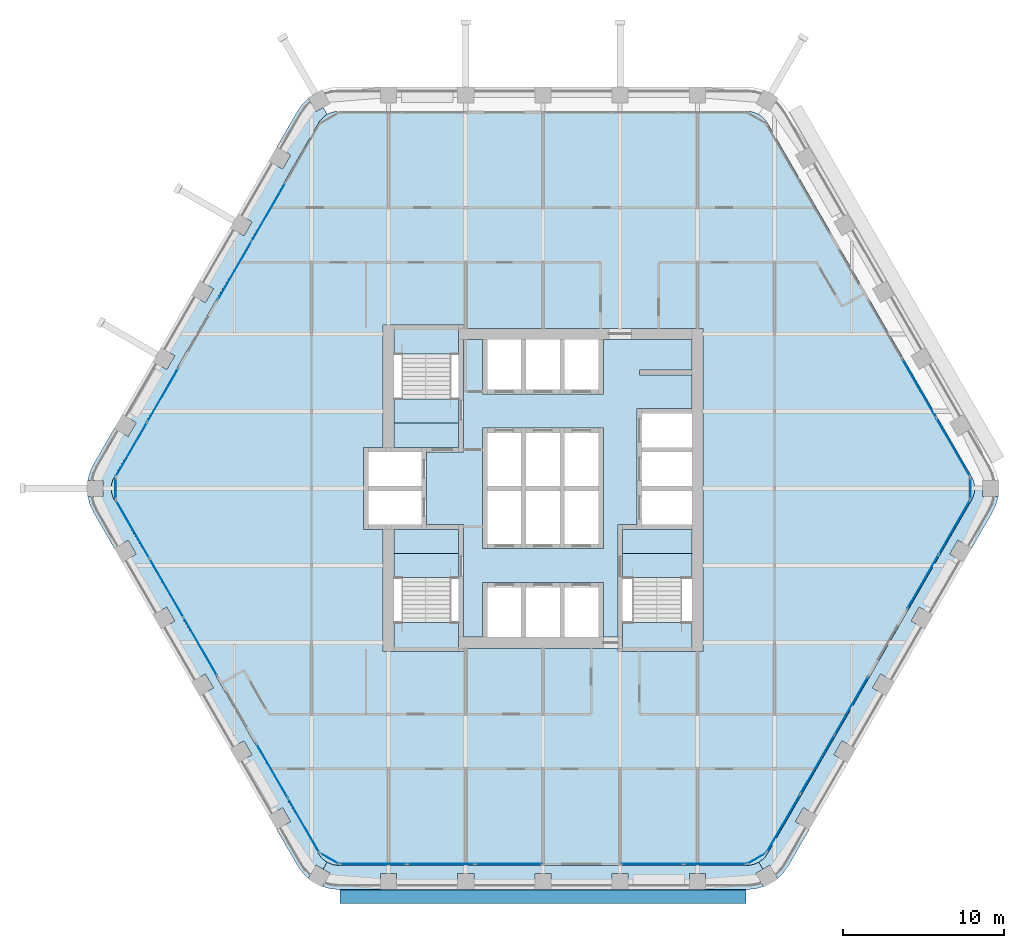
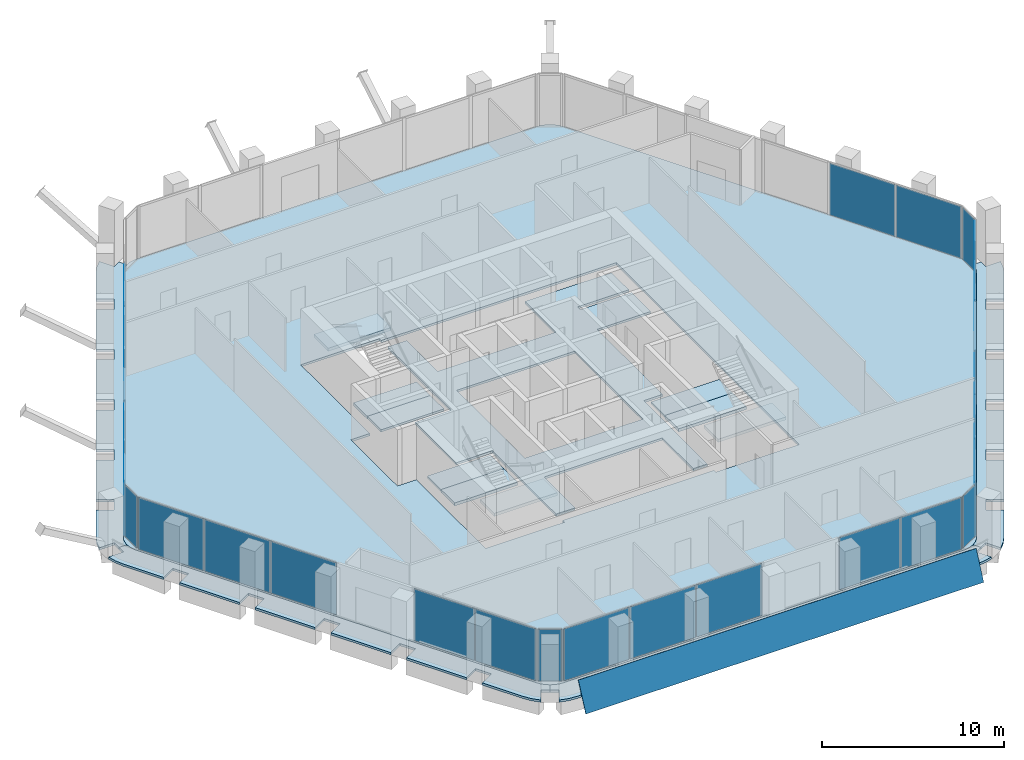
# One storey, part 8 of 16: 26 plates, 15 slabs, 16 elements without a shape of their own.
"""IFC4 building model written with IfcOpenShell, lengths in metres."""

import ifcopenshell
import ifcopenshell.guid

model = None  # the IFC model being written
_history = None  # IfcOwnerHistory: only IFC2X3 demands one
_inside = {}  # id of a spatial element -> (the spatial element, [elements in it])
_under = {}  # id of a project, library or spatial element -> (it, [spatial elements below it])
_declared = {}  # id of a project -> (the project, [libraries it declares])
_typed = {}  # id of a type object -> (the type object, [elements of that type])
_made_of = {}  # id of a material, layer set ... -> (it, [elements and type objects made of it])


def new_model(schema):
    """Start an empty IFC model of exactly this schema.

    Asked for "IFC4X3", IfcOpenShell would pick the latest addendum, in which some entities
    have other attributes; the version numbers below select the first issue.
    IFC2X3 requires an IfcOwnerHistory on every rooted entity: one is made here for all.
    """
    global model, _history
    if schema == "IFC4X3":
        model = ifcopenshell.file(schema_version=(4, 3, 0, 0))
    else:
        model = ifcopenshell.file(schema=schema)
    _inside.clear()
    _under.clear()
    _declared.clear()
    _typed.clear()
    _made_of.clear()
    _history = None
    if model.schema == "IFC2X3":
        org = make("IfcOrganization", Name="unknown")
        user = make(
            "IfcPersonAndOrganization",
            ThePerson=make("IfcPerson", FamilyName="unknown"),
            TheOrganization=org,
        )
        app = make(
            "IfcApplication",
            ApplicationDeveloper=org,
            Version="unknown",
            ApplicationFullName="unknown",
            ApplicationIdentifier="unknown",
        )
        _history = make(
            "IfcOwnerHistory",
            OwningUser=user,
            OwningApplication=app,
            ChangeAction="ADDED",
            CreationDate=0,
        )
    return model


def make(cls, **values):
    """One entity of the class cls with the attributes given. An attribute that is None is left unset."""
    return model.create_entity(
        cls, **{name: value for name, value in values.items() if value is not None}
    )


def rooted(cls, **values):
    """An entity with a GlobalId (a new one), such as an element, a storey or a relation."""
    return make(cls, GlobalId=ifcopenshell.guid.new(), OwnerHistory=_history, **values)


def si_unit(unit_type, name, prefix=None):
    """IfcSIUnit, for example si_unit("LENGTHUNIT", "METRE", prefix="MILLI")."""
    return make("IfcSIUnit", UnitType=unit_type, Prefix=prefix, Name=name)


def assignment(units):
    """IfcUnitAssignment: the units of a project."""
    return None if units is None else make("IfcUnitAssignment", Units=units)


def point(xyz):
    """IfcCartesianPoint."""
    return None if xyz is None else make("IfcCartesianPoint", Coordinates=xyz)


def direction(xyz):
    """IfcDirection."""
    return None if xyz is None else make("IfcDirection", DirectionRatios=xyz)


def frame(location, z_axis=None, x_axis=None):
    """IfcAxis2Placement3D, a coordinate frame: its origin and axes. An axis left out is left unset."""
    return make(
        "IfcAxis2Placement3D",
        Location=point(location),
        Axis=direction(z_axis),
        RefDirection=direction(x_axis),
    )


def frame_2d(location, x_axis=None):
    """IfcAxis2Placement2D, a coordinate frame in the plane: its origin and x axis."""
    return make(
        "IfcAxis2Placement2D", Location=point(location), RefDirection=direction(x_axis)
    )


def origin():
    """The frame at (0, 0, 0) with its axes left unset."""
    return frame((0.0, 0.0, 0.0))


def origin_2d():
    """The frame at (0, 0) in the plane with its x axis left unset."""
    return frame_2d((0.0, 0.0))


def place(relative_to, where):
    """IfcLocalPlacement: puts the frame where relative to a parent placement (None: the world)."""
    return make(
        "IfcLocalPlacement", PlacementRelTo=relative_to, RelativePlacement=where
    )


def context(
    kind, dimensions, precision=None, world=None, true_north=None, identifier=None
):
    """IfcGeometricRepresentationContext, for example the 3D "Model" context."""
    return make(
        "IfcGeometricRepresentationContext",
        ContextIdentifier=identifier,
        ContextType=kind,
        CoordinateSpaceDimension=dimensions,
        Precision=precision,
        WorldCoordinateSystem=world,
        TrueNorth=true_north,
    )


def subcontext(parent, identifier, kind, view, scale=None):
    """IfcGeometricRepresentationSubContext, for example "Body" below "Model"."""
    return make(
        "IfcGeometricRepresentationSubContext",
        ContextIdentifier=identifier,
        ContextType=kind,
        ParentContext=parent,
        TargetScale=scale,
        TargetView=view,
    )


def project(units=None, contexts=None):
    """IfcProject with its units and contexts."""
    return rooted(
        "IfcProject",
        Name="project",
        RepresentationContexts=contexts,
        UnitsInContext=assignment(units),
    )


def spatial(cls, under=None, at=None, **own):
    """A site, building, storey or space (cls), placed at a placement, below another one or the project."""
    s = rooted(cls, ObjectPlacement=at, **own)
    if under is not None:
        _under.setdefault(under.id(), (under, []))[1].append(s)
    return s


def polyline(points):
    """IfcPolyline through the points."""
    return make("IfcPolyline", Points=[point(p) for p in points])


def profile(cls, at=None, kind="AREA", **sizes):
    """A parametric profile (cls). Its sizes go by their IFC names, for example OverallWidth=200.0."""
    return make(cls, ProfileType=kind, Position=at, **sizes)


def rectangle(**sizes):
    """IfcRectangleProfileDef."""
    return profile("IfcRectangleProfileDef", **sizes)


def outline(outer, holes=None, kind="AREA"):
    """IfcArbitraryClosedProfileDef: a profile drawn as a closed curve; with holes, ...WithVoids."""
    if holes is None:
        return make("IfcArbitraryClosedProfileDef", ProfileType=kind, OuterCurve=outer)
    return make(
        "IfcArbitraryProfileDefWithVoids",
        ProfileType=kind,
        OuterCurve=outer,
        InnerCurves=holes,
    )


def extrude(swept, where, along, depth):
    """IfcExtrudedAreaSolid: the profile swept, set in the frame where, extruded along a direction by depth."""
    return make(
        "IfcExtrudedAreaSolid",
        SweptArea=swept,
        Position=where,
        ExtrudedDirection=direction(along),
        Depth=depth,
    )


def shape(context_of_items, identifier, shape_type, items):
    """IfcShapeRepresentation: the items that make up one representation, for example the "Body"."""
    return make(
        "IfcShapeRepresentation",
        ContextOfItems=context_of_items,
        RepresentationIdentifier=identifier,
        RepresentationType=shape_type,
        Items=items,
    )


def material(Name=None, Category=None):
    """IfcMaterial."""
    return make("IfcMaterial", Name=Name, Category=Category)


def layer(
    of_material, thickness, ventilated=None, Name=None, Category=None, Priority=None
):
    """IfcMaterialLayer: one layer of a wall or slab, of a material (None: an air gap)."""
    return make(
        "IfcMaterialLayer",
        Material=of_material,
        LayerThickness=thickness,
        IsVentilated=ventilated,
        Name=Name,
        Category=Category,
        Priority=Priority,
    )


def layer_set(layers, Name=None):
    """IfcMaterialLayerSet."""
    return make("IfcMaterialLayerSet", MaterialLayers=layers, LayerSetName=Name)


def made_of(thing, what):
    """Note that an element or type object is made of a material, layer set ...; save() writes the relation."""
    if what is not None:
        _made_of.setdefault(what.id(), (what, []))[1].append(thing)
    return thing


def type_object(cls, material=None, **own):
    """A type object (cls), such as IfcWallType, which elements share."""
    return made_of(rooted(cls, **own), material)


def element(
    cls,
    number,
    at=None,
    inside=None,
    cuts=None,
    type_object=None,
    material=None,
    context=None,
    identifier="Body",
    shape_type=None,
    held_by="IfcProductDefinitionShape",
    body=None,
    shapes=None,
    **own,
):
    """One element of the class cls, such as IfcWall. Its Tag is "e" and its number.

    at: its placement. inside: the storey or other place that contains it. cuts: it is an
    opening in that element (IfcRelVoidsElement). A single representation is given by context,
    identifier, shape_type and body (its items); several are given by shapes. held_by: the class
    of the entity that holds the representations. save() writes the other relations.
    """
    e = rooted(cls, Tag="e%d" % number, ObjectPlacement=at, **own)
    if body is not None:
        shapes = [shape(context, identifier, shape_type, body)]
    if shapes is not None:
        e.Representation = make(held_by, Representations=shapes)
    if inside is not None:
        _inside.setdefault(inside.id(), (inside, []))[1].append(e)
    if cuts is not None:
        rooted(
            "IfcRelVoidsElement", RelatingBuildingElement=cuts, RelatedOpeningElement=e
        )
    if type_object is not None:
        _typed.setdefault(type_object.id(), (type_object, []))[1].append(e)
    return made_of(e, material)


def aggregate(whole, parts):
    """IfcRelAggregates: a whole, such as a stair, and the parts it consists of."""
    return rooted("IfcRelAggregates", RelatingObject=whole, RelatedObjects=parts)


def save(model, path):
    """Write the relations noted so far, then the file.

    IfcRelAggregates (storeys below a building ...), IfcRelContainedInSpatialStructure (elements
    in a storey), IfcRelDefinesByType, IfcRelAssociatesMaterial and IfcRelDeclares: one each for
    every whole, place, type object, material and project.
    """
    for whole, parts in _under.values():
        aggregate(whole, parts)
    for where, things in _inside.values():
        rooted(
            "IfcRelContainedInSpatialStructure",
            RelatedElements=things,
            RelatingStructure=where,
        )
    for kind, things in _typed.values():
        rooted("IfcRelDefinesByType", RelatedObjects=things, RelatingType=kind)
    for what, things in _made_of.values():
        rooted("IfcRelAssociatesMaterial", RelatedObjects=things, RelatingMaterial=what)
    for by, libraries in _declared.values():
        rooted("IfcRelDeclares", RelatingContext=by, RelatedDefinitions=libraries)
    model.write(path)


model = new_model("IFC4")

# Units and contexts
model_context = context("Model", 3, precision=1e-05, world=origin(), true_north=direction((0.0, 1.0)))
body_context = subcontext(model_context, "Body", "Model", "MODEL_VIEW")
ifc_project = project(units=[si_unit("LENGTHUNIT", "METRE"), si_unit("AREAUNIT", "SQUARE_METRE"), si_unit("VOLUMEUNIT", "CUBIC_METRE"), si_unit("PLANEANGLEUNIT", "RADIAN"), si_unit("MASSUNIT", "GRAM", prefix="KILO")], contexts=[model_context])

# Site, building, storey
site_placement = place(None, origin())
site = spatial("IfcSite", under=ifc_project, at=site_placement, CompositionType="ELEMENT")
building_placement = place(site_placement, origin())
building = spatial("IfcBuilding", under=site, at=building_placement, Name="Kolab Exchange Tower", CompositionType="ELEMENT")
storey_placement = place(building_placement, frame((0.0, 0.0, 146.60009765625)))
storey = spatial("IfcBuildingStorey", under=building, at=storey_placement, Name="L29", CompositionType="ELEMENT", Elevation=146.60009765625)

# Slabs
ifc_material_1 = material(Name="Concrete C35/45", Category="concrete")
ifc_layer_1 = layer(ifc_material_1, 0.14990234375)
ifc_layer_set_1 = layer_set([ifc_layer_1], Name="Concrete C35/45")
slab_type_1 = type_object("IfcSlabType", Name="FLOOR SLAB 150", PredefinedType="FLOOR", material=ifc_layer_set_1)
slab_1_placement = place(storey_placement, frame((0.0, 0.0, -0.150146484375)))
element("IfcSlab", 1, at=slab_1_placement, inside=storey, type_object=slab_type_1, Name="slab/L29/floor/0", PredefinedType="FLOOR", context=body_context, shape_type="SweptSolid", body=[
    extrude(outline(polyline([(13.967041015625, -22.691650390625), (26.635009765625, -0.75), (26.745361328125, -0.512939453125), (26.81298828125, -0.260498046875), (26.8359375, 0.0), (26.81298828125, 0.260498046875), (26.745361328125, 0.512939453125), (26.635009765625, 0.75), (13.967041015625, 22.691650390625), (13.81689453125, 22.90576171875), (13.632080078125, 23.090576171875), (13.41796875, 23.240478515625), (13.180908203125, 23.35107421875), (12.928466796875, 23.418701171875), (12.66796875, 23.441650390625), (-12.66796875, 23.441650390625), (-12.928466796875, 23.418701171875), (-13.180908203125, 23.35107421875), (-13.41796875, 23.240478515625), (-13.632080078125, 23.090576171875), (-13.81689453125, 22.90576171875), (-13.967041015625, 22.691650390625), (-26.635009765625, 0.75), (-26.745361328125, 0.512939453125), (-26.81298828125, 0.260498046875), (-26.8359375, 0.0), (-26.81298828125, -0.260498046875), (-26.745361328125, -0.512939453125), (-26.635009765625, -0.75), (-13.967041015625, -22.691650390625), (-13.81689453125, -22.90576171875), (-13.632080078125, -23.090576171875), (-13.41796875, -23.240478515625), (-13.180908203125, -23.35107421875), (-12.928466796875, -23.418701171875), (-12.66796875, -23.441650390625), (12.66796875, -23.441650390625), (12.928466796875, -23.418701171875), (13.180908203125, -23.35107421875), (13.41796875, -23.240478515625), (13.632080078125, -23.090576171875), (13.81689453125, -22.90576171875), (13.967041015625, -22.691650390625)]), holes=[polyline([(-9.25, -10.14990234375), (-9.949951171875, -10.14990234375), (-9.949951171875, -2.550048828125), (-10.85009765625, -2.550048828125), (-11.14990234375, -2.550048828125), (-11.14990234375, 2.550048828125), (-10.85009765625, 2.550048828125), (-9.949951171875, 2.550048828125), (-9.949951171875, 10.14990234375), (-9.25, 10.14990234375), (-5.25, 10.14990234375), (-4.949951171875, 10.14990234375), (-4.949951171875, 9.949951171875), (9.25, 9.949951171875), (9.949951171875, 9.949951171875), (9.949951171875, -10.14990234375), (9.25, -10.14990234375), (4.949951171875, -10.14990234375), (4.64990234375, -10.14990234375), (4.64990234375, -9.949951171875), (-4.949951171875, -9.949951171875), (-4.949951171875, -10.14990234375), (-5.25, -10.14990234375), (-9.25, -10.14990234375)])]), origin(), (0.0, 0.0, 1.0), 0.150146484375),
])
slab_2_placement = place(storey_placement, frame((0.0, 0.0, -0.150146484375)))
element("IfcSlab", 2, at=slab_2_placement, inside=storey, type_object=slab_type_1, Name="slab/L29/floor/1", PredefinedType="FLOOR", context=body_context, shape_type="SweptSolid", body=[
    extrude(outline(polyline([(-4.949951171875, 9.25), (-4.949951171875, 2.25), (-5.25, 2.25), (-7.25, 2.25), (-7.25, -2.25), (-5.25, -2.25), (-4.949951171875, -2.25), (-4.949951171875, -9.25), (-3.75, -9.25), (-3.75, -5.85009765625), (-3.449951171875, -5.85009765625), (-1.35009765625, -5.85009765625), (-1.050048828125, -5.85009765625), (1.050048828125, -5.85009765625), (1.35009765625, -5.85009765625), (3.449951171875, -5.85009765625), (3.75, -5.85009765625), (3.75, -9.25), (4.64990234375, -9.25), (4.64990234375, -2.25), (4.949951171875, -2.25), (5.85009765625, -2.25), (5.85009765625, 4.949951171875), (6.14990234375, 4.949951171875), (9.25, 4.949951171875), (9.25, 7.050048828125), (6.0, 7.050048828125), (6.0, 7.35009765625), (9.25, 7.35009765625), (9.25, 9.25), (3.75, 9.25), (3.75, 5.85009765625), (3.449951171875, 5.85009765625), (1.35009765625, 5.85009765625), (1.050048828125, 5.85009765625), (-1.050048828125, 5.85009765625), (-1.35009765625, 5.85009765625), (-3.449951171875, 5.85009765625), (-3.75, 5.85009765625), (-3.75, 9.25), (-4.949951171875, 9.25)]), holes=[polyline([(-3.449951171875, -3.75), (-3.75, -3.75), (-3.75, 3.75), (-3.449951171875, 3.75), (-1.35009765625, 3.75), (-1.050048828125, 3.75), (1.050048828125, 3.75), (1.35009765625, 3.75), (3.449951171875, 3.75), (3.75, 3.75), (3.75, -3.75), (3.449951171875, -3.75), (1.35009765625, -3.75), (1.050048828125, -3.75), (-1.050048828125, -3.75), (-1.35009765625, -3.75), (-3.449951171875, -3.75)])]), origin(), (0.0, 0.0, 1.0), 0.150146484375),
])
slab_3_placement = place(storey_placement, frame((0.0, 0.0, -0.150146484375)))
element("IfcSlab", 3, at=slab_3_placement, inside=storey, type_object=slab_type_1, Name="slab/L29/floor/2", PredefinedType="FLOOR", context=body_context, shape_type="SweptSolid", body=[
    extrude(outline(polyline([(4.949951171875, -4.050048828125), (9.25, -4.050048828125), (9.25, -2.550048828125), (6.14990234375, -2.550048828125), (5.85009765625, -2.550048828125), (4.949951171875, -2.550048828125), (4.949951171875, -4.050048828125)])), origin(), (0.0, 0.0, 1.0), 0.150146484375),
])
slab_4_placement = place(storey_placement, frame((0.0, 0.0, -0.150146484375)))
element("IfcSlab", 4, at=slab_4_placement, inside=storey, type_object=slab_type_1, Name="slab/L29/floor/3", PredefinedType="FLOOR", context=body_context, shape_type="SweptSolid", body=[
    extrude(outline(polyline([(-7.550048828125, -2.550048828125), (-9.25, -2.550048828125), (-9.25, -4.050048828125), (-5.25, -4.050048828125), (-5.25, -2.550048828125), (-7.25, -2.550048828125), (-7.550048828125, -2.550048828125)])), origin(), (0.0, 0.0, 1.0), 0.150146484375),
])
slab_5_placement = place(storey_placement, frame((0.0, 0.0, -0.150146484375)))
element("IfcSlab", 5, at=slab_5_placement, inside=storey, type_object=slab_type_1, Name="slab/L29/floor/4", PredefinedType="FLOOR", context=body_context, shape_type="SweptSolid", body=[
    extrude(outline(polyline([(-9.25, 2.550048828125), (-7.550048828125, 2.550048828125), (-7.25, 2.550048828125), (-5.25, 2.550048828125), (-5.25, 4.050048828125), (-9.25, 4.050048828125), (-9.25, 2.550048828125)])), origin(), (0.0, 0.0, 1.0), 0.150146484375),
])
ifc_layer_2 = layer(ifc_material_1, 0.14990234375)
ifc_layer_set_2 = layer_set([ifc_layer_2], Name="Concrete C35/45")
slab_type_2 = type_object("IfcSlabType", Name="LOGGIA SLAB 150", PredefinedType="FLOOR", material=ifc_layer_set_2)
slab_6_placement = place(storey_placement, frame((0.0, 0.0, -0.150146484375)))
element("IfcSlab", 6, at=slab_6_placement, inside=storey, type_object=slab_type_2, Name="slab/L29/loggia/2-0", PredefinedType="FLOOR", context=body_context, shape_type="SweptSolid", body=[
    extrude(outline(polyline([(15.26611328125, -23.441650390625), (16.550048828125, -21.217529296875), (15.68408203125, -20.717529296875), (16.18408203125, -19.8515625), (17.050048828125, -20.3515625), (18.949951171875, -17.060791015625), (18.083984375, -16.560791015625), (18.583984375, -15.694580078125), (19.449951171875, -16.194580078125), (21.35009765625, -12.90380859375), (20.48388671875, -12.40380859375), (20.98388671875, -11.537841796875), (21.85009765625, -12.037841796875), (23.75, -8.746826171875), (22.884033203125, -8.246826171875), (23.384033203125, -7.380859375), (24.25, -7.880859375), (26.14990234375, -4.58984375), (25.283935546875, -4.08984375), (25.783935546875, -3.223876953125), (26.64990234375, -3.723876953125), (27.93408203125, -1.5), (28.155029296875, -1.026123046875), (28.290283203125, -0.52099609375), (28.292236328125, -0.5), (27.3359375, -0.5), (27.3359375, 0.0), (26.8359375, 0.0), (26.81298828125, -0.260498046875), (26.745361328125, -0.512939453125), (26.635009765625, -0.75), (13.967041015625, -22.691650390625), (13.81689453125, -22.90576171875), (13.632080078125, -23.090576171875), (13.41796875, -23.240478515625), (13.66796875, -23.673583984375), (14.10107421875, -23.423583984375), (14.5791015625, -24.251708984375), (14.59619140625, -24.23974609375), (14.966064453125, -23.869873046875), (15.26611328125, -23.441650390625)])), origin(), (0.0, 0.0, 1.0), 0.150146484375),
])
slab_7_placement = place(storey_placement, frame((0.0, 0.0, -0.150146484375)))
element("IfcSlab", 7, at=slab_7_placement, inside=storey, type_object=slab_type_2, Name="slab/L29/loggia/3-0", PredefinedType="FLOOR", context=body_context, shape_type="SweptSolid", body=[
    extrude(outline(polyline([(-13.41796875, -23.240478515625), (-13.66796875, -23.673583984375), (-13.23486328125, -23.923583984375), (-13.713134765625, -24.751708984375), (-13.694091796875, -24.760498046875), (-13.18896484375, -24.89599609375), (-12.66796875, -24.941650390625), (-10.10009765625, -24.941650390625), (-10.10009765625, -23.941650390625), (-9.10009765625, -23.941650390625), (-9.10009765625, -24.941650390625), (-5.300048828125, -24.941650390625), (-5.300048828125, -23.941650390625), (-4.300048828125, -23.941650390625), (-4.300048828125, -24.941650390625), (-0.5, -24.941650390625), (-0.5, -23.941650390625), (0.5, -23.941650390625), (0.5, -24.941650390625), (4.300048828125, -24.941650390625), (4.300048828125, -23.941650390625), (5.300048828125, -23.941650390625), (5.300048828125, -24.941650390625), (9.10009765625, -24.941650390625), (9.10009765625, -23.941650390625), (10.10009765625, -23.941650390625), (10.10009765625, -24.941650390625), (12.66796875, -24.941650390625), (13.18896484375, -24.89599609375), (13.694091796875, -24.760498046875), (13.713134765625, -24.751708984375), (13.23486328125, -23.923583984375), (13.66796875, -23.673583984375), (13.41796875, -23.240478515625), (13.180908203125, -23.35107421875), (12.928466796875, -23.418701171875), (12.66796875, -23.441650390625), (-12.66796875, -23.441650390625), (-12.928466796875, -23.418701171875), (-13.180908203125, -23.35107421875), (-13.41796875, -23.240478515625)])), origin(), (0.0, 0.0, 1.0), 0.150146484375),
])
slab_8_placement = place(storey_placement, frame((0.0, 0.0, -0.150146484375)))
element("IfcSlab", 8, at=slab_8_placement, inside=storey, type_object=slab_type_2, Name="slab/L29/loggia/4-0", PredefinedType="FLOOR", context=body_context, shape_type="SweptSolid", body=[
    extrude(outline(polyline([(-26.8359375, 0.0), (-27.3359375, 0.0), (-27.3359375, -0.5), (-28.292236328125, -0.5), (-28.290283203125, -0.52099609375), (-28.155029296875, -1.026123046875), (-27.93408203125, -1.5), (-26.64990234375, -3.723876953125), (-25.783935546875, -3.223876953125), (-25.283935546875, -4.08984375), (-26.14990234375, -4.58984375), (-24.25, -7.880859375), (-23.384033203125, -7.380859375), (-22.884033203125, -8.246826171875), (-23.75, -8.746826171875), (-21.85009765625, -12.037841796875), (-20.98388671875, -11.537841796875), (-20.48388671875, -12.40380859375), (-21.35009765625, -12.90380859375), (-19.449951171875, -16.194580078125), (-18.583984375, -15.694580078125), (-18.083984375, -16.560791015625), (-18.949951171875, -17.060791015625), (-17.050048828125, -20.3515625), (-16.18408203125, -19.8515625), (-15.68408203125, -20.717529296875), (-16.550048828125, -21.217529296875), (-15.26611328125, -23.441650390625), (-14.966064453125, -23.869873046875), (-14.59619140625, -24.23974609375), (-14.5791015625, -24.251708984375), (-14.10107421875, -23.423583984375), (-13.66796875, -23.673583984375), (-13.41796875, -23.240478515625), (-13.632080078125, -23.090576171875), (-13.81689453125, -22.90576171875), (-13.967041015625, -22.691650390625), (-26.635009765625, -0.75), (-26.745361328125, -0.512939453125), (-26.81298828125, -0.260498046875), (-26.8359375, 0.0)])), origin(), (0.0, 0.0, 1.0), 0.150146484375),
])
slab_9_placement = place(storey_placement, frame((0.0, 0.0, -0.150146484375)))
element("IfcSlab", 9, at=slab_9_placement, inside=storey, type_object=slab_type_2, Name="slab/L29/loggia/5-0", PredefinedType="FLOOR", context=body_context, shape_type="SweptSolid", body=[
    extrude(outline(polyline([(-13.41796875, 23.240478515625), (-13.66796875, 23.673583984375), (-14.10107421875, 23.423583984375), (-14.5791015625, 24.251708984375), (-14.59619140625, 24.23974609375), (-14.966064453125, 23.869873046875), (-15.26611328125, 23.441650390625), (-16.550048828125, 21.217529296875), (-15.68408203125, 20.717529296875), (-16.18408203125, 19.8515625), (-17.050048828125, 20.3515625), (-18.949951171875, 17.060791015625), (-18.083984375, 16.560791015625), (-18.583984375, 15.694580078125), (-19.449951171875, 16.194580078125), (-21.35009765625, 12.90380859375), (-20.48388671875, 12.40380859375), (-20.98388671875, 11.537841796875), (-21.85009765625, 12.037841796875), (-23.75, 8.746826171875), (-22.884033203125, 8.246826171875), (-23.384033203125, 7.380859375), (-24.25, 7.880859375), (-26.14990234375, 4.58984375), (-25.283935546875, 4.08984375), (-25.783935546875, 3.223876953125), (-26.64990234375, 3.723876953125), (-27.93408203125, 1.5), (-28.155029296875, 1.026123046875), (-28.290283203125, 0.52099609375), (-28.292236328125, 0.5), (-27.3359375, 0.5), (-27.3359375, 0.0), (-26.8359375, 0.0), (-26.81298828125, 0.260498046875), (-26.745361328125, 0.512939453125), (-26.635009765625, 0.75), (-13.967041015625, 22.691650390625), (-13.81689453125, 22.90576171875), (-13.632080078125, 23.090576171875), (-13.41796875, 23.240478515625)])), origin(), (0.0, 0.0, 1.0), 0.150146484375),
])

# Plate
ifc_material_2 = material(Name="Laminated glass, clear", Category="glass")
ifc_layer_3 = layer(ifc_material_2, 0.0400390625)
ifc_layer_set_3 = layer_set([ifc_layer_3], Name="Laminated glass, clear")
plate_type_1 = type_object("IfcPlateType", Name="OUTER SKIN LAMINATED GLASS SHEET 40", PredefinedType="SHEET", material=ifc_layer_set_3)
plate_1_placement = place(storey_placement, frame((12.617919921875, -25.806640625, -0.68310546875), z_axis=(0.0, -0.90629442354, 0.42264691867), x_axis=(-1.0, 0.0, 0.0)))
element("IfcPlate", 10, at=plate_1_placement, inside=storey, type_object=plate_type_1, Name="Outer skin", PredefinedType="SHEET", context=body_context, shape_type="SweptSolid", body=[
    extrude(outline(polyline([(0.0, 0.0), (25.23583984375, 0.0), (25.23583984375, -1.9611107647099728), (0.0, -1.9611107647099728), (0.0, 0.0)])), origin(), (0.0, 0.0, -1.0), 0.0400390625),
])

# Stair, slabs
ifc_material_3 = material(Name="Concrete C50/60", Category="concrete")
stair_type_1 = type_object("IfcStairType", Name="STAIR ST1 RISER 177.3", PredefinedType="HALF_TURN_STAIR", material=ifc_material_3)
stair_1_placement = place(storey_placement, origin())
stair_1 = element("IfcStair", 11, at=stair_1_placement, inside=storey, type_object=stair_type_1, Name="Stair 1", PredefinedType="HALF_TURN_STAIR")
ifc_layer_4 = layer(ifc_material_3, 0.199951171875)
ifc_layer_set_4 = layer_set([ifc_layer_4], Name="Concrete C50/60")
slab_type_3 = type_object("IfcSlabType", Name="STAIR LANDING 200", PredefinedType="LANDING", material=ifc_layer_set_4)
slab_10_placement = place(storey_placement, frame((0.0, 0.0, -0.2001953125)))
slab_10 = element("IfcSlab", 12, at=slab_10_placement, type_object=slab_type_3, Name="ST1 landing 1", PredefinedType="LANDING", context=body_context, shape_type="SweptSolid", body=[
    extrude(outline(polyline([(-9.25, 4.050048828125), (-5.25, 4.050048828125), (-5.25, 5.550048828125), (-9.25, 5.550048828125), (-9.25, 4.050048828125)])), origin(), (0.0, 0.0, 1.0), 0.2001953125),
])
slab_11_placement = place(storey_placement, frame((0.0, 0.0, 1.75)))
slab_11 = element("IfcSlab", 13, at=slab_11_placement, type_object=slab_type_3, Name="ST1 landing 2", PredefinedType="LANDING", context=body_context, shape_type="SweptSolid", body=[
    extrude(outline(polyline([(-9.25, 8.35009765625), (-5.25, 8.35009765625), (-5.25, 9.909912109375), (-9.25, 9.909912109375), (-9.25, 8.35009765625)])), origin(), (0.0, 0.0, 1.0), 0.199951171875),
])
aggregate(stair_1, [slab_10, slab_11])

stair_type_2 = type_object("IfcStairType", Name="STAIR ST3 RISER 177.3", PredefinedType="HALF_TURN_STAIR", material=ifc_material_3)
stair_2_placement = place(storey_placement, origin())
stair_2 = element("IfcStair", 14, at=stair_2_placement, inside=storey, type_object=stair_type_2, Name="Stair 3", PredefinedType="HALF_TURN_STAIR")
slab_12_placement = place(storey_placement, frame((0.0, 0.0, -0.2001953125)))
slab_12 = element("IfcSlab", 15, at=slab_12_placement, type_object=slab_type_3, Name="ST3 landing 1", PredefinedType="LANDING", context=body_context, shape_type="SweptSolid", body=[
    extrude(outline(polyline([(-9.25, -5.550048828125), (-5.25, -5.550048828125), (-5.25, -4.050048828125), (-9.25, -4.050048828125), (-9.25, -5.550048828125)])), origin(), (0.0, 0.0, 1.0), 0.2001953125),
])
slab_13_placement = place(storey_placement, frame((0.0, 0.0, 1.75)))
slab_13 = element("IfcSlab", 16, at=slab_13_placement, type_object=slab_type_3, Name="ST3 landing 2", PredefinedType="LANDING", context=body_context, shape_type="SweptSolid", body=[
    extrude(outline(polyline([(-9.25, -9.909912109375), (-5.25, -9.909912109375), (-5.25, -8.35009765625), (-9.25, -8.35009765625), (-9.25, -9.909912109375)])), origin(), (0.0, 0.0, 1.0), 0.199951171875),
])
aggregate(stair_2, [slab_12, slab_13])

stair_type_3 = type_object("IfcStairType", Name="STAIR ST2 RISER 177.3", PredefinedType="HALF_TURN_STAIR", material=ifc_material_3)
stair_3_placement = place(storey_placement, origin())
stair_3 = element("IfcStair", 17, at=stair_3_placement, inside=storey, type_object=stair_type_3, Name="Stair 2", PredefinedType="HALF_TURN_STAIR")
slab_14_placement = place(storey_placement, frame((0.0, 0.0, -0.2001953125)))
slab_14 = element("IfcSlab", 18, at=slab_14_placement, type_object=slab_type_3, Name="ST2 landing 1", PredefinedType="LANDING", context=body_context, shape_type="SweptSolid", body=[
    extrude(outline(polyline([(4.949951171875, -5.550048828125), (9.25, -5.550048828125), (9.25, -4.050048828125), (4.949951171875, -4.050048828125), (4.949951171875, -5.550048828125)])), origin(), (0.0, 0.0, 1.0), 0.2001953125),
])
slab_15_placement = place(storey_placement, frame((0.0, 0.0, 1.75)))
slab_15 = element("IfcSlab", 19, at=slab_15_placement, type_object=slab_type_3, Name="ST2 landing 2", PredefinedType="LANDING", context=body_context, shape_type="SweptSolid", body=[
    extrude(outline(polyline([(4.949951171875, -9.909912109375), (9.25, -9.909912109375), (9.25, -8.35009765625), (4.949951171875, -8.35009765625), (4.949951171875, -9.909912109375)])), origin(), (0.0, 0.0, 1.0), 0.199951171875),
])
aggregate(stair_3, [slab_14, slab_15])

# Curtain wall, plates
ifc_material_4 = material(Name="Aluminium EN AW-6063 T6", Category="aluminium")
curtain_wall_type = type_object("IfcCurtainWallType", Name="UNITISED UPPER MID ZONE CURTAIN WALL", PredefinedType="NOTDEFINED", material=ifc_material_4)
curtain_wall_1_placement = place(storey_placement, origin())
curtain_wall_1 = element("IfcCurtainWall", 20, at=curtain_wall_1_placement, inside=storey, type_object=curtain_wall_type, Name="cw/L29/F2-2", PredefinedType="NOTDEFINED")
ifc_material_5 = material(Name="Clear insulated glazing unit", Category="glass")
ifc_layer_5 = layer(ifc_material_5, 0.028076171875)
ifc_layer_set_5 = layer_set([ifc_layer_5], Name="Clear insulated glazing unit")
plate_type_2 = type_object("IfcPlateType", Name="UNITISED UPPER MID ZONE GLASS PANEL 28", PredefinedType="CURTAIN_PANEL", material=ifc_layer_set_5)
plate_2_placement = place(storey_placement, frame((23.398681640625, 6.1953125, 0.059814453125), z_axis=(0.0, 0.0, 1.0), x_axis=(0.499999958358, -0.866025427826, 0.0)))
plate_2 = element("IfcPlate", 21, at=plate_2_placement, type_object=plate_type_2, Name="CW3 panel 2.1", PredefinedType="CURTAIN_PANEL", context=body_context, shape_type="SweptSolid", body=[
    extrude(rectangle(XDim=4.16259765625, YDim=0.028076171875, at=origin_2d()), origin(), (0.0, 0.0, 1.0), 3.47998046875),
])
plate_3_placement = place(storey_placement, frame((25.50244140625, 2.551513671875, 0.059814453125), z_axis=(0.0, 0.0, 1.0), x_axis=(0.499999958358, -0.866025427826, 0.0)))
plate_3 = element("IfcPlate", 22, at=plate_3_placement, type_object=plate_type_2, Name="CW3 panel 3.1", PredefinedType="CURTAIN_PANEL", context=body_context, shape_type="SweptSolid", body=[
    extrude(rectangle(XDim=4.132568359375, YDim=0.028076171875, at=origin_2d()), origin(), (0.0, 0.0, 1.0), 3.47998046875),
])
aggregate(curtain_wall_1, [plate_2, plate_3])

curtain_wall_2_placement = place(storey_placement, origin())
curtain_wall_2 = element("IfcCurtainWall", 23, at=curtain_wall_2_placement, inside=storey, type_object=curtain_wall_type, Name="cw/L29/F3-1", PredefinedType="NOTDEFINED")
plate_4_placement = place(storey_placement, frame((25.57470703125, -2.426513671875, 0.059814453125), z_axis=(0.0, 0.0, 1.0), x_axis=(-0.499999936366, -0.866025440524, 0.0)))
plate_4 = element("IfcPlate", 24, at=plate_4_placement, type_object=plate_type_2, Name="CW3 panel 1.1", PredefinedType="CURTAIN_PANEL", context=body_context, shape_type="SweptSolid", body=[
    extrude(rectangle(XDim=3.843994140625, YDim=0.028076171875, at=origin_2d()), origin(), (0.0, 0.0, 1.0), 3.47998046875),
])
plate_5_placement = place(storey_placement, frame((23.62255859375, -5.807373046875, 0.059814453125), z_axis=(0.0, 0.0, 1.0), x_axis=(-0.499999936366, -0.866025440524, 0.0)))
plate_5 = element("IfcPlate", 25, at=plate_5_placement, type_object=plate_type_2, Name="CW3 panel 2.1", PredefinedType="CURTAIN_PANEL", context=body_context, shape_type="SweptSolid", body=[
    extrude(rectangle(XDim=3.843994140625, YDim=0.028076171875, at=origin_2d()), origin(), (0.0, 0.0, 1.0), 3.47998046875),
])
aggregate(curtain_wall_2, [plate_4, plate_5])

curtain_wall_3_placement = place(storey_placement, origin())
curtain_wall_3 = element("IfcCurtainWall", 26, at=curtain_wall_3_placement, inside=storey, type_object=curtain_wall_type, Name="cw/L29/F3-2", PredefinedType="NOTDEFINED")
plate_6_placement = place(storey_placement, frame((19.16845703125, -13.522216796875, 0.059814453125), z_axis=(0.0, 0.0, 1.0), x_axis=(-0.500000017564, -0.866025393644, 0.0)))
plate_6 = element("IfcPlate", 27, at=plate_6_placement, type_object=plate_type_2, Name="CW3 panel 1.1", PredefinedType="CURTAIN_PANEL", context=body_context, shape_type="SweptSolid", body=[
    extrude(rectangle(XDim=4.132568359375, YDim=0.028076171875, at=origin_2d()), origin(), (0.0, 0.0, 1.0), 3.47998046875),
])
plate_7_placement = place(storey_placement, frame((17.064697265625, -17.166259765625, 0.059814453125), z_axis=(0.0, 0.0, 1.0), x_axis=(-0.500000017564, -0.866025393644, 0.0)))
plate_7 = element("IfcPlate", 28, at=plate_7_placement, type_object=plate_type_2, Name="CW3 panel 2.1", PredefinedType="CURTAIN_PANEL", context=body_context, shape_type="SweptSolid", body=[
    extrude(rectangle(XDim=4.16259765625, YDim=0.028076171875, at=origin_2d()), origin(), (0.0, 0.0, 1.0), 3.47998046875),
])
plate_8_placement = place(storey_placement, frame((14.9609375, -20.81005859375, 0.059814453125), z_axis=(0.0, 0.0, 1.0), x_axis=(-0.500000017564, -0.866025393644, 0.0)))
plate_8 = element("IfcPlate", 29, at=plate_8_placement, type_object=plate_type_2, Name="CW3 panel 3.1", PredefinedType="CURTAIN_PANEL", context=body_context, shape_type="SweptSolid", body=[
    extrude(rectangle(XDim=4.132568359375, YDim=0.028076171875, at=origin_2d()), origin(), (0.0, 0.0, 1.0), 3.47998046875),
])
aggregate(curtain_wall_3, [plate_6, plate_7, plate_8])

curtain_wall_4_placement = place(storey_placement, origin())
curtain_wall_4 = element("IfcCurtainWall", 30, at=curtain_wall_4_placement, inside=storey, type_object=curtain_wall_type, Name="cw/L29/F4-1", PredefinedType="NOTDEFINED")
plate_9_placement = place(storey_placement, frame((10.68603515625, -23.361572265625, 0.059814453125), z_axis=(0.0, 0.0, 1.0), x_axis=(-1.0, 0.0, 0.0)))
plate_9 = element("IfcPlate", 31, at=plate_9_placement, type_object=plate_type_2, Name="CW3 panel 1.1", PredefinedType="CURTAIN_PANEL", context=body_context, shape_type="SweptSolid", body=[
    extrude(rectangle(XDim=3.843994140625, YDim=0.028076171875, at=origin_2d()), origin(), (0.0, 0.0, 1.0), 3.47998046875),
])
plate_10_placement = place(storey_placement, frame((6.781982421875, -23.361572265625, 0.059814453125), z_axis=(0.0, 0.0, 1.0), x_axis=(-1.0, 0.0, 0.0)))
plate_10 = element("IfcPlate", 32, at=plate_10_placement, type_object=plate_type_2, Name="CW3 panel 2.1", PredefinedType="CURTAIN_PANEL", context=body_context, shape_type="SweptSolid", body=[
    extrude(rectangle(XDim=3.843994140625, YDim=0.028076171875, at=origin_2d()), origin(), (0.0, 0.0, 1.0), 3.47998046875),
])
aggregate(curtain_wall_4, [plate_9, plate_10])

curtain_wall_5_placement = place(storey_placement, origin())
curtain_wall_5 = element("IfcCurtainWall", 33, at=curtain_wall_5_placement, inside=storey, type_object=curtain_wall_type, Name="cw/L29/F4-2", PredefinedType="NOTDEFINED")
plate_11_placement = place(storey_placement, frame((-2.126220703125, -23.361572265625, 0.059814453125), z_axis=(0.0, 0.0, 1.0), x_axis=(-1.0, 0.0, 0.0)))
plate_11 = element("IfcPlate", 34, at=plate_11_placement, type_object=plate_type_2, Name="CW3 panel 1.1", PredefinedType="CURTAIN_PANEL", context=body_context, shape_type="SweptSolid", body=[
    extrude(rectangle(XDim=4.132568359375, YDim=0.028076171875, at=origin_2d()), origin(), (0.0, 0.0, 1.0), 3.47998046875),
])
plate_12_placement = place(storey_placement, frame((-6.333984375, -23.361572265625, 0.059814453125), z_axis=(0.0, 0.0, 1.0), x_axis=(-1.0, 0.0, 0.0)))
plate_12 = element("IfcPlate", 35, at=plate_12_placement, type_object=plate_type_2, Name="CW3 panel 2.1", PredefinedType="CURTAIN_PANEL", context=body_context, shape_type="SweptSolid", body=[
    extrude(rectangle(XDim=4.16259765625, YDim=0.028076171875, at=origin_2d()), origin(), (0.0, 0.0, 1.0), 3.47998046875),
])
plate_13_placement = place(storey_placement, frame((-10.54150390625, -23.361572265625, 0.059814453125), z_axis=(0.0, 0.0, 1.0), x_axis=(-1.0, 0.0, 0.0)))
plate_13 = element("IfcPlate", 36, at=plate_13_placement, type_object=plate_type_2, Name="CW3 panel 3.1", PredefinedType="CURTAIN_PANEL", context=body_context, shape_type="SweptSolid", body=[
    extrude(rectangle(XDim=4.132568359375, YDim=0.028076171875, at=origin_2d()), origin(), (0.0, 0.0, 1.0), 3.47998046875),
])
aggregate(curtain_wall_5, [plate_11, plate_12, plate_13])

curtain_wall_6_placement = place(storey_placement, origin())
curtain_wall_6 = element("IfcCurtainWall", 37, at=curtain_wall_6_placement, inside=storey, type_object=curtain_wall_type, Name="cw/L29/F5-1", PredefinedType="NOTDEFINED")
plate_14_placement = place(storey_placement, frame((-14.888671875, -20.93505859375, 0.059814453125), z_axis=(0.0, 0.0, 1.0), x_axis=(-0.500000031681, 0.866025385493, 0.0)))
plate_14 = element("IfcPlate", 38, at=plate_14_placement, type_object=plate_type_2, Name="CW3 panel 1.1", PredefinedType="CURTAIN_PANEL", context=body_context, shape_type="SweptSolid", body=[
    extrude(rectangle(XDim=3.843994140625, YDim=0.028076171875, at=origin_2d()), origin(), (0.0, 0.0, 1.0), 3.47998046875),
])
plate_15_placement = place(storey_placement, frame((-16.840576171875, -17.55419921875, 0.059814453125), z_axis=(0.0, 0.0, 1.0), x_axis=(-0.500000031681, 0.866025385493, 0.0)))
plate_15 = element("IfcPlate", 39, at=plate_15_placement, type_object=plate_type_2, Name="CW3 panel 2.1", PredefinedType="CURTAIN_PANEL", context=body_context, shape_type="SweptSolid", body=[
    extrude(rectangle(XDim=3.843994140625, YDim=0.028076171875, at=origin_2d()), origin(), (0.0, 0.0, 1.0), 3.47998046875),
])
aggregate(curtain_wall_6, [plate_14, plate_15])

curtain_wall_7_placement = place(storey_placement, origin())
curtain_wall_7 = element("IfcCurtainWall", 40, at=curtain_wall_7_placement, inside=storey, type_object=curtain_wall_type, Name="cw/L29/F5-2", PredefinedType="NOTDEFINED")
plate_16_placement = place(storey_placement, frame((-21.294921875, -9.83935546875, 0.059814453125), z_axis=(0.0, 0.0, 1.0), x_axis=(-0.499999958358, 0.866025427826, 0.0)))
plate_16 = element("IfcPlate", 41, at=plate_16_placement, type_object=plate_type_2, Name="CW3 panel 1.1", PredefinedType="CURTAIN_PANEL", context=body_context, shape_type="SweptSolid", body=[
    extrude(rectangle(XDim=4.132568359375, YDim=0.028076171875, at=origin_2d()), origin(), (0.0, 0.0, 1.0), 3.47998046875),
])
plate_17_placement = place(storey_placement, frame((-23.398681640625, -6.1953125, 0.059814453125), z_axis=(0.0, 0.0, 1.0), x_axis=(-0.499999958358, 0.866025427826, 0.0)))
plate_17 = element("IfcPlate", 42, at=plate_17_placement, type_object=plate_type_2, Name="CW3 panel 2.1", PredefinedType="CURTAIN_PANEL", context=body_context, shape_type="SweptSolid", body=[
    extrude(rectangle(XDim=4.16259765625, YDim=0.028076171875, at=origin_2d()), origin(), (0.0, 0.0, 1.0), 3.47998046875),
])
plate_18_placement = place(storey_placement, frame((-25.50244140625, -2.551513671875, 0.059814453125), z_axis=(0.0, 0.0, 1.0), x_axis=(-0.499999958358, 0.866025427826, 0.0)))
plate_18 = element("IfcPlate", 43, at=plate_18_placement, type_object=plate_type_2, Name="CW3 panel 3.1", PredefinedType="CURTAIN_PANEL", context=body_context, shape_type="SweptSolid", body=[
    extrude(rectangle(XDim=4.132568359375, YDim=0.028076171875, at=origin_2d()), origin(), (0.0, 0.0, 1.0), 3.47998046875),
])
aggregate(curtain_wall_7, [plate_16, plate_17, plate_18])

curtain_wall_8_placement = place(storey_placement, origin())
curtain_wall_8 = element("IfcCurtainWall", 44, at=curtain_wall_8_placement, inside=storey, type_object=curtain_wall_type, Name="cw/L29/F6-1", PredefinedType="NOTDEFINED")
plate_19_placement = place(storey_placement, frame((-25.57470703125, 2.426513671875, 0.059814453125), z_axis=(0.0, 0.0, 1.0), x_axis=(0.499999936366, 0.866025440524, 0.0)))
plate_19 = element("IfcPlate", 45, at=plate_19_placement, type_object=plate_type_2, Name="CW3 panel 1.1", PredefinedType="CURTAIN_PANEL", context=body_context, shape_type="SweptSolid", body=[
    extrude(rectangle(XDim=3.843994140625, YDim=0.028076171875, at=origin_2d()), origin(), (0.0, 0.0, 1.0), 3.47998046875),
])
plate_20_placement = place(storey_placement, frame((-23.62255859375, 5.807373046875, 0.059814453125), z_axis=(0.0, 0.0, 1.0), x_axis=(0.499999936366, 0.866025440524, 0.0)))
plate_20 = element("IfcPlate", 46, at=plate_20_placement, type_object=plate_type_2, Name="CW3 panel 2.1", PredefinedType="CURTAIN_PANEL", context=body_context, shape_type="SweptSolid", body=[
    extrude(rectangle(XDim=3.843994140625, YDim=0.028076171875, at=origin_2d()), origin(), (0.0, 0.0, 1.0), 3.47998046875),
])
aggregate(curtain_wall_8, [plate_19, plate_20])

curtain_wall_9_placement = place(storey_placement, origin())
curtain_wall_9 = element("IfcCurtainWall", 47, at=curtain_wall_9_placement, inside=storey, type_object=curtain_wall_type, Name="cw/L29/F6-2", PredefinedType="NOTDEFINED")
plate_21_placement = place(storey_placement, frame((-19.16845703125, 13.522216796875, 0.059814453125), z_axis=(0.0, 0.0, 1.0), x_axis=(0.500000017564, 0.866025393644, 0.0)))
plate_21 = element("IfcPlate", 48, at=plate_21_placement, type_object=plate_type_2, Name="CW3 panel 1.1", PredefinedType="CURTAIN_PANEL", context=body_context, shape_type="SweptSolid", body=[
    extrude(rectangle(XDim=4.132568359375, YDim=0.028076171875, at=origin_2d()), origin(), (0.0, 0.0, 1.0), 3.47998046875),
])
plate_22_placement = place(storey_placement, frame((-17.064697265625, 17.166259765625, 0.059814453125), z_axis=(0.0, 0.0, 1.0), x_axis=(0.500000017564, 0.866025393644, 0.0)))
plate_22 = element("IfcPlate", 49, at=plate_22_placement, type_object=plate_type_2, Name="CW3 panel 2.1", PredefinedType="CURTAIN_PANEL", context=body_context, shape_type="SweptSolid", body=[
    extrude(rectangle(XDim=4.16259765625, YDim=0.028076171875, at=origin_2d()), origin(), (0.0, 0.0, 1.0), 3.47998046875),
])
aggregate(curtain_wall_9, [plate_21, plate_22])

# Curtain wall, plate
curtain_wall_10_placement = place(storey_placement, origin())
curtain_wall_10 = element("IfcCurtainWall", 50, at=curtain_wall_10_placement, inside=storey, type_object=curtain_wall_type, Name="cw/L29/F2F3-corner", PredefinedType="NOTDEFINED")
plate_23_placement = place(storey_placement, frame((26.565673828125, 0.0, 0.059814453125), z_axis=(0.0, 0.0, 1.0), x_axis=(0.0, -1.0, 0.0)))
plate_23 = element("IfcPlate", 51, at=plate_23_placement, type_object=plate_type_2, Name="CW3 panel 1.1", PredefinedType="CURTAIN_PANEL", context=body_context, shape_type="SweptSolid", body=[
    extrude(rectangle(XDim=1.300048828125, YDim=0.028076171875, at=origin_2d()), origin(), (0.0, 0.0, 1.0), 3.47998046875),
])
aggregate(curtain_wall_10, [plate_23])

curtain_wall_11_placement = place(storey_placement, origin())
curtain_wall_11 = element("IfcCurtainWall", 52, at=curtain_wall_11_placement, inside=storey, type_object=curtain_wall_type, Name="cw/L29/F3F4-corner", PredefinedType="NOTDEFINED")
plate_24_placement = place(storey_placement, frame((13.28271484375, -23.006591796875, 0.059814453125), z_axis=(0.0, 0.0, 1.0), x_axis=(-0.866025390869, -0.50000002237, 0.0)))
plate_24 = element("IfcPlate", 53, at=plate_24_placement, type_object=plate_type_2, Name="CW3 panel 1.1", PredefinedType="CURTAIN_PANEL", context=body_context, shape_type="SweptSolid", body=[
    extrude(rectangle(XDim=1.300048828125, YDim=0.028076171875, at=origin_2d()), origin(), (0.0, 0.0, 1.0), 3.47998046875),
])
aggregate(curtain_wall_11, [plate_24])

curtain_wall_12_placement = place(storey_placement, origin())
curtain_wall_12 = element("IfcCurtainWall", 54, at=curtain_wall_12_placement, inside=storey, type_object=curtain_wall_type, Name="cw/L29/F4F5-corner", PredefinedType="NOTDEFINED")
plate_25_placement = place(storey_placement, frame((-13.28271484375, -23.006591796875, 0.059814453125), z_axis=(0.0, 0.0, 1.0), x_axis=(-0.866025390869, 0.50000002237, 0.0)))
plate_25 = element("IfcPlate", 55, at=plate_25_placement, type_object=plate_type_2, Name="CW3 panel 1.1", PredefinedType="CURTAIN_PANEL", context=body_context, shape_type="SweptSolid", body=[
    extrude(rectangle(XDim=1.300048828125, YDim=0.028076171875, at=origin_2d()), origin(), (0.0, 0.0, 1.0), 3.47998046875),
])
aggregate(curtain_wall_12, [plate_25])

curtain_wall_13_placement = place(storey_placement, origin())
curtain_wall_13 = element("IfcCurtainWall", 56, at=curtain_wall_13_placement, inside=storey, type_object=curtain_wall_type, Name="cw/L29/F5F6-corner", PredefinedType="NOTDEFINED")
plate_26_placement = place(storey_placement, frame((-26.565673828125, 0.0, 0.059814453125), z_axis=(0.0, 0.0, 1.0), x_axis=(0.0, 1.0, 0.0)))
plate_26 = element("IfcPlate", 57, at=plate_26_placement, type_object=plate_type_2, Name="CW3 panel 1.1", PredefinedType="CURTAIN_PANEL", context=body_context, shape_type="SweptSolid", body=[
    extrude(rectangle(XDim=1.300048828125, YDim=0.028076171875, at=origin_2d()), origin(), (0.0, 0.0, 1.0), 3.47998046875),
])
aggregate(curtain_wall_13, [plate_26])

save(model, "model.ifc")
